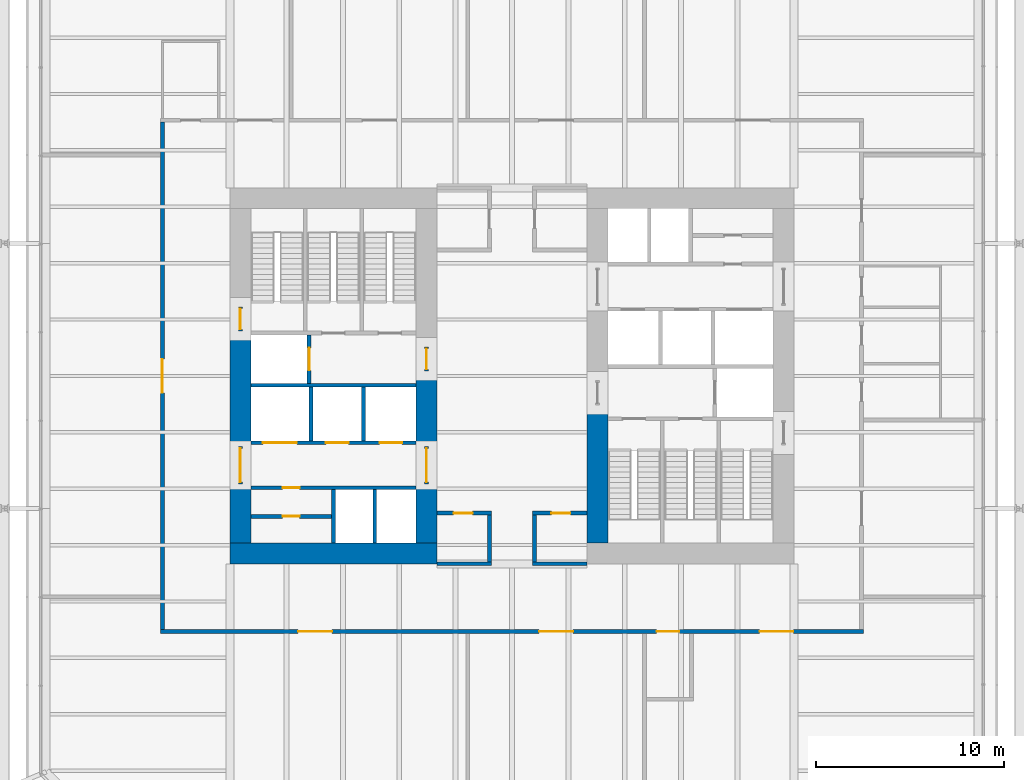
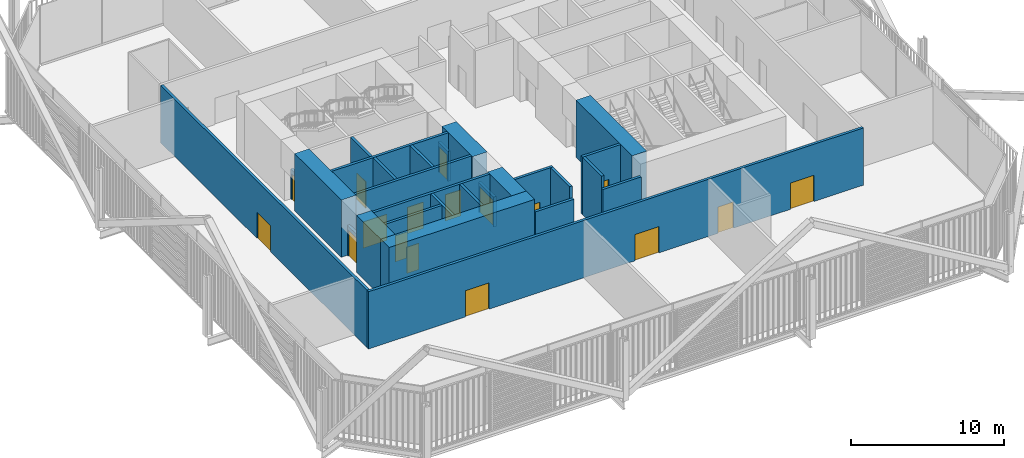
# One storey, part 18 of 22: 27 walls, 17 doors, 17 openings.
"""IFC4 building model written with IfcOpenShell, lengths in metres."""

from ifc_helpers import new_model, si_unit, direction, frame, frame_2d, origin, place, context, subcontext, project, spatial, rectangle, extrude, material, layer, layer_set, type_object, element, fill, save


model = new_model("IFC4")

# Units and contexts
model_context = context("Model", 3, precision=1e-05, world=origin(), true_north=direction((0.0, 1.0)))
body_context = subcontext(model_context, "Body", "Model", "MODEL_VIEW")
ifc_project = project(units=[si_unit("LENGTHUNIT", "METRE"), si_unit("AREAUNIT", "SQUARE_METRE"), si_unit("VOLUMEUNIT", "CUBIC_METRE"), si_unit("PLANEANGLEUNIT", "RADIAN"), si_unit("MASSUNIT", "GRAM", prefix="KILO")], contexts=[model_context])

# Site, building, storey
site_placement = place(None, origin())
site = spatial("IfcSite", under=ifc_project, at=site_placement, CompositionType="ELEMENT")
building_placement = place(site_placement, origin())
building = spatial("IfcBuilding", under=site, at=building_placement, Name="Millrace Tower", CompositionType="ELEMENT")
storey_placement = place(building_placement, frame((0.0, 0.0, 35.300048828125)))
storey = spatial("IfcBuildingStorey", under=building, at=storey_placement, Name="L08", CompositionType="ELEMENT", Elevation=35.300048828125)

# Walls
ifc_material_1 = material(Name="Concrete C80", Category="concrete")
ifc_layer_1 = layer(ifc_material_1, 1.10009765625)
ifc_layer_set_1 = layer_set([ifc_layer_1], Name="Concrete C80")
wall_type_1 = type_object("IfcWallType", Name="Core wall 1100 Concrete C80", PredefinedType="SHEAR", material=ifc_layer_set_1)
wall_1_placement = place(storey_placement, frame((-15.0, -9.449951171875, 0.0), z_axis=(0.0, 0.0, 1.0), x_axis=(1.0, 0.0, 0.0)))
element("IfcWall", 1, at=wall_1_placement, inside=storey, type_object=wall_type_1, Name="Core wall W L08", PredefinedType="SHEAR", context=body_context, shape_type="SweptSolid", body=[
    extrude(rectangle(XDim=11.0, YDim=1.10009765625, at=frame_2d((5.5, 0.0))), origin(), (0.0, 0.0, 1.0), 4.574951171875),
])
wall_2_placement = place(storey_placement, frame((-14.449951171875, -8.89990234375, 0.0), z_axis=(0.0, 0.0, 1.0), x_axis=(0.0, 1.0, 0.0)))
element("IfcWall", 2, at=wall_2_placement, inside=storey, type_object=wall_type_1, Name="Core wall W L08", PredefinedType="SHEAR", context=body_context, shape_type="SweptSolid", body=[
    extrude(rectangle(XDim=3.14990234375, YDim=1.10009765625, at=frame_2d((1.574951171875, 0.0))), origin(), (0.0, 0.0, 1.0), 4.574951171875),
])
wall_3_placement = place(storey_placement, frame((-14.449951171875, -3.75, 0.0), z_axis=(0.0, 0.0, 1.0), x_axis=(0.0, 1.0, 0.0)))
element("IfcWall", 3, at=wall_3_placement, inside=storey, type_object=wall_type_1, Name="Core wall W L08", PredefinedType="SHEAR", context=body_context, shape_type="SweptSolid", body=[
    extrude(rectangle(XDim=6.1298828125, YDim=1.10009765625, at=frame_2d((3.06494140625, 0.0))), origin(), (0.0, 0.0, 1.0), 4.574951171875),
])
wall_4_placement = place(storey_placement, frame((-4.550048828125, -8.89990234375, 0.0), z_axis=(0.0, 0.0, 1.0), x_axis=(0.0, 1.0, 0.0)))
element("IfcWall", 4, at=wall_4_placement, inside=storey, type_object=wall_type_1, Name="Core wall W L08", PredefinedType="SHEAR", context=body_context, shape_type="SweptSolid", body=[
    extrude(rectangle(XDim=3.14990234375, YDim=1.10009765625, at=frame_2d((1.574951171875, 0.0))), origin(), (0.0, 0.0, 1.0), 4.574951171875),
])
wall_5_placement = place(storey_placement, frame((-4.550048828125, -3.75, 0.0), z_axis=(0.0, 0.0, 1.0), x_axis=(0.0, 1.0, 0.0)))
element("IfcWall", 5, at=wall_5_placement, inside=storey, type_object=wall_type_1, Name="Core wall W L08", PredefinedType="SHEAR", context=body_context, shape_type="SweptSolid", body=[
    extrude(rectangle(XDim=4.0, YDim=1.10009765625, at=frame_2d((2.0, 0.0))), origin(), (0.0, 0.0, 1.0), 4.574951171875),
])
wall_6_placement = place(storey_placement, frame((4.550048828125, -1.550048828125, 0.0), z_axis=(0.0, 0.0, 1.0), x_axis=(0.0, -1.0, 0.0)))
element("IfcWall", 6, at=wall_6_placement, inside=storey, type_object=wall_type_1, Name="Core wall E L08", PredefinedType="SHEAR", context=body_context, shape_type="SweptSolid", body=[
    extrude(rectangle(XDim=7.349853515625, YDim=1.10009765625, at=frame_2d((3.6748046875, 0.0))), origin(), (0.0, 0.0, 1.0), 4.574951171875),
])

# Wall, openings, doors
ifc_material_2 = material(Name="Masonry partition, fire-rated", Category="masonry")
ifc_layer_2 = layer(ifc_material_2, 0.199951171875)
ifc_layer_set_2 = layer_set([ifc_layer_2], Name="Masonry partition, fire-rated")
wall_type_2 = type_object("IfcWallType", Name="Corridor wall 200", PredefinedType="PARTITIONING", material=ifc_layer_set_2)
wall_7_placement = place(storey_placement, frame((-18.699951171875, -13.60009765625, 0.0), z_axis=(0.0, 0.0, 1.0), x_axis=(1.0, 0.0, 0.0)))
wall_7 = element("IfcWall", 7, at=wall_7_placement, inside=storey, type_object=wall_type_2, Name="Corridor wall L08", PredefinedType="PARTITIONING", context=body_context, shape_type="SweptSolid", body=[
    extrude(rectangle(XDim=37.39990234375, YDim=0.199951171875, at=frame_2d((18.699951171875, 0.0))), origin(), (0.0, 0.0, 1.0), 4.574951171875),
])
opening_1_placement = place(wall_7_placement, frame((7.324951171875, 0.0, 0.0)))
opening_1 = element("IfcOpeningElement", 8, at=opening_1_placement, cuts=wall_7, Name="Opening 08-P005", PredefinedType="OPENING", context=body_context, shape_type="SweptSolid", body=[
    extrude(rectangle(XDim=1.800048828125, YDim=2.10009765625, at=frame_2d((0.89990234375, 1.050048828125))), frame((0.0, 0.10986328125, 0.0), z_axis=(0.0, -1.0, 0.0), x_axis=(1.0, 0.0, 0.0)), (0.0, 0.0, 1.0), 0.219970703125),
])
opening_2_placement = place(wall_7_placement, frame((20.14990234375, 0.0, 0.0)))
opening_2 = element("IfcOpeningElement", 9, at=opening_2_placement, cuts=wall_7, Name="Opening 08-P006", PredefinedType="OPENING", context=body_context, shape_type="SweptSolid", body=[
    extrude(rectangle(XDim=1.800048828125, YDim=2.10009765625, at=frame_2d((0.89990234375, 1.050048828125))), frame((0.0, 0.10986328125, 0.0), z_axis=(0.0, -1.0, 0.0), x_axis=(1.0, 0.0, 0.0)), (0.0, 0.0, 1.0), 0.219970703125),
])
opening_3_placement = place(wall_7_placement, frame((31.875, 0.0, 0.0)))
opening_3 = element("IfcOpeningElement", 10, at=opening_3_placement, cuts=wall_7, Name="Opening 08-P007", PredefinedType="OPENING", context=body_context, shape_type="SweptSolid", body=[
    extrude(rectangle(XDim=1.800048828125, YDim=2.10009765625, at=frame_2d((0.89990234375, 1.050048828125))), frame((0.0, 0.10986328125, 0.0), z_axis=(0.0, -1.0, 0.0), x_axis=(1.0, 0.0, 0.0)), (0.0, 0.0, 1.0), 0.219970703125),
])
opening_4_placement = place(wall_7_placement, frame((26.39990234375, 0.0, 0.0)))
opening_4 = element("IfcOpeningElement", 11, at=opening_4_placement, cuts=wall_7, Name="Opening 08-P008", PredefinedType="OPENING", context=body_context, shape_type="SweptSolid", body=[
    extrude(rectangle(XDim=1.199951171875, YDim=2.10009765625, at=frame_2d((0.60009765625, 1.050048828125))), frame((0.0, 0.10986328125, 0.0), z_axis=(0.0, -1.0, 0.0), x_axis=(1.0, 0.0, 0.0)), (0.0, 0.0, 1.0), 0.219970703125),
])
ifc_material_3 = material(Name="Steel door set, fire-rated", Category="steel")
door_type_1 = type_object("IfcDoorType", Name="Corridor door 1200 x 2100", OperationType="SINGLE_SWING_LEFT", PredefinedType="DOOR", material=ifc_material_3)
door_1_placement = place(opening_4_placement, frame((1.199951171875, 0.0, 0.0), z_axis=(0.0, 0.0, 1.0), x_axis=(-1.0, 0.0, 0.0)))
door_1 = element("IfcDoor", 12, at=door_1_placement, inside=storey, type_object=door_type_1, Name="Door 08-P008", OperationType="SINGLE_SWING_LEFT", OverallHeight=2.10009765625, OverallWidth=1.199951171875, PredefinedType="DOOR", context=body_context, shape_type="SweptSolid", body=[
    extrude(rectangle(XDim=1.199951171875, YDim=2.10009765625, at=frame_2d((0.60009765625, 1.050048828125))), frame((0.0, 0.02490234375, 0.0), z_axis=(0.0, -1.0, 0.0), x_axis=(1.0, 0.0, 0.0)), (0.0, 0.0, 1.0), 0.050048828125),
])
fill(opening_4, door_1)
ifc_material_4 = material(Name="Steel door set, fire-rated", Category="steel")
door_type_2 = type_object("IfcDoorType", Name="Data hall door 1800 x 2100", OperationType="DOUBLE_DOOR_SINGLE_SWING", PredefinedType="DOOR", material=ifc_material_4)
door_2_placement = place(opening_1_placement, frame((1.800048828125, 0.0, 0.0), z_axis=(0.0, 0.0, 1.0), x_axis=(-1.0, 0.0, 0.0)))
door_2 = element("IfcDoor", 13, at=door_2_placement, inside=storey, type_object=door_type_2, Name="Door 08-P005", OperationType="DOUBLE_DOOR_SINGLE_SWING", OverallHeight=2.10009765625, OverallWidth=1.800048828125, PredefinedType="DOOR", context=body_context, shape_type="SweptSolid", body=[
    extrude(rectangle(XDim=1.800048828125, YDim=2.10009765625, at=frame_2d((0.89990234375, 1.050048828125))), frame((0.0, 0.02490234375, 0.0), z_axis=(0.0, -1.0, 0.0), x_axis=(1.0, 0.0, 0.0)), (0.0, 0.0, 1.0), 0.050048828125),
])
fill(opening_1, door_2)
door_3_placement = place(opening_2_placement, frame((1.800048828125, 0.0, 0.0), z_axis=(0.0, 0.0, 1.0), x_axis=(-1.0, 0.0, 0.0)))
door_3 = element("IfcDoor", 14, at=door_3_placement, inside=storey, type_object=door_type_2, Name="Door 08-P006", OperationType="DOUBLE_DOOR_SINGLE_SWING", OverallHeight=2.10009765625, OverallWidth=1.800048828125, PredefinedType="DOOR", context=body_context, shape_type="SweptSolid", body=[
    extrude(rectangle(XDim=1.800048828125, YDim=2.10009765625, at=frame_2d((0.89990234375, 1.050048828125))), frame((0.0, 0.02490234375, 0.0), z_axis=(0.0, -1.0, 0.0), x_axis=(1.0, 0.0, 0.0)), (0.0, 0.0, 1.0), 0.050048828125),
])
fill(opening_2, door_3)
door_4_placement = place(opening_3_placement, frame((1.800048828125, 0.0, 0.0), z_axis=(0.0, 0.0, 1.0), x_axis=(-1.0, 0.0, 0.0)))
door_4 = element("IfcDoor", 15, at=door_4_placement, inside=storey, type_object=door_type_2, Name="Door 08-P007", OperationType="DOUBLE_DOOR_SINGLE_SWING", OverallHeight=2.10009765625, OverallWidth=1.800048828125, PredefinedType="DOOR", context=body_context, shape_type="SweptSolid", body=[
    extrude(rectangle(XDim=1.800048828125, YDim=2.10009765625, at=frame_2d((0.89990234375, 1.050048828125))), frame((0.0, 0.02490234375, 0.0), z_axis=(0.0, -1.0, 0.0), x_axis=(1.0, 0.0, 0.0)), (0.0, 0.0, 1.0), 0.050048828125),
])
fill(opening_3, door_4)

# Walls
for number, where, z_axis, x_axis, name in (
    (16, (-4.0, -10.0, 0.0), (0.0, 0.0, 1.0), (1.0, 0.0, 0.0), "Corridor wall L08"),
    (17, (1.10009765625, -10.0, 0.0), (0.0, 0.0, 1.0), (1.0, 0.0, 0.0), "Corridor wall L08"),
):
    element("IfcWall", number, at=place(storey_placement, frame(where, z_axis=z_axis, x_axis=x_axis)), inside=storey, type_object=wall_type_2, Name=name, PredefinedType="PARTITIONING", context=body_context, shape_type="SweptSolid", body=[
        extrude(rectangle(XDim=2.89990234375, YDim=0.199951171875, at=frame_2d((1.449951171875, 0.0))), origin(), (0.0, 0.0, 1.0), 3.62744140625),
    ])

# Wall, opening, door
wall_8_placement = place(storey_placement, frame((-4.0, -7.300048828125, 0.0), z_axis=(0.0, 0.0, 1.0), x_axis=(1.0, 0.0, 0.0)))
wall_8 = element("IfcWall", 18, at=wall_8_placement, inside=storey, type_object=wall_type_2, Name="Corridor wall L08", PredefinedType="PARTITIONING", context=body_context, shape_type="SweptSolid", body=[
    extrude(rectangle(XDim=2.89990234375, YDim=0.199951171875, at=frame_2d((1.449951171875, 0.0))), origin(), (0.0, 0.0, 1.0), 4.574951171875),
])
opening_5_placement = place(wall_8_placement, frame((0.89990234375, 0.0, 0.0)))
opening_5 = element("IfcOpeningElement", 19, at=opening_5_placement, cuts=wall_8, Name="Opening 08-P003", PredefinedType="OPENING", context=body_context, shape_type="SweptSolid", body=[
    extrude(rectangle(XDim=1.0, YDim=2.10009765625, at=frame_2d((0.5, 1.050048828125))), frame((0.0, 0.10986328125, 0.0), z_axis=(0.0, -1.0, 0.0), x_axis=(1.0, 0.0, 0.0)), (0.0, 0.0, 1.0), 0.219970703125),
])
ifc_material_5 = material(Name="Steel door set, fire-rated", Category="steel")
door_type_3 = type_object("IfcDoorType", Name="Corridor door 1000 x 2100", OperationType="SINGLE_SWING_LEFT", PredefinedType="DOOR", material=ifc_material_5)
door_5_placement = place(opening_5_placement, frame((1.0, 0.0, 0.0), z_axis=(0.0, 0.0, 1.0), x_axis=(-1.0, 0.0, 0.0)))
door_5 = element("IfcDoor", 20, at=door_5_placement, inside=storey, type_object=door_type_3, Name="Door 08-P003", OperationType="SINGLE_SWING_RIGHT", OverallHeight=2.10009765625, OverallWidth=1.0, PredefinedType="DOOR", context=body_context, shape_type="SweptSolid", body=[
    extrude(rectangle(XDim=1.0, YDim=2.10009765625, at=frame_2d((0.5, 1.050048828125))), frame((0.0, 0.02490234375, 0.0), z_axis=(0.0, -1.0, 0.0), x_axis=(1.0, 0.0, 0.0)), (0.0, 0.0, 1.0), 0.050048828125),
])
fill(opening_5, door_5)

wall_9_placement = place(storey_placement, frame((1.10009765625, -7.300048828125, 0.0), z_axis=(0.0, 0.0, 1.0), x_axis=(1.0, 0.0, 0.0)))
wall_9 = element("IfcWall", 21, at=wall_9_placement, inside=storey, type_object=wall_type_2, Name="Corridor wall L08", PredefinedType="PARTITIONING", context=body_context, shape_type="SweptSolid", body=[
    extrude(rectangle(XDim=2.89990234375, YDim=0.199951171875, at=frame_2d((1.449951171875, 0.0))), origin(), (0.0, 0.0, 1.0), 4.574951171875),
])
opening_6_placement = place(wall_9_placement, frame((1.0, 0.0, 0.0)))
opening_6 = element("IfcOpeningElement", 22, at=opening_6_placement, cuts=wall_9, Name="Opening 08-P004", PredefinedType="OPENING", context=body_context, shape_type="SweptSolid", body=[
    extrude(rectangle(XDim=1.0, YDim=2.10009765625, at=frame_2d((0.5, 1.050048828125))), frame((0.0, 0.10986328125, 0.0), z_axis=(0.0, -1.0, 0.0), x_axis=(1.0, 0.0, 0.0)), (0.0, 0.0, 1.0), 0.219970703125),
])
door_6_placement = place(opening_6_placement, frame((1.0, 0.0, 0.0), z_axis=(0.0, 0.0, 1.0), x_axis=(-1.0, 0.0, 0.0)))
door_6 = element("IfcDoor", 23, at=door_6_placement, inside=storey, type_object=door_type_3, Name="Door 08-P004", OperationType="SINGLE_SWING_RIGHT", OverallHeight=2.10009765625, OverallWidth=1.0, PredefinedType="DOOR", context=body_context, shape_type="SweptSolid", body=[
    extrude(rectangle(XDim=1.0, YDim=2.10009765625, at=frame_2d((0.5, 1.050048828125))), frame((0.0, 0.02490234375, 0.0), z_axis=(0.0, -1.0, 0.0), x_axis=(1.0, 0.0, 0.0)), (0.0, 0.0, 1.0), 0.050048828125),
])
fill(opening_6, door_6)

# Walls
for number, where, z_axis, x_axis, name in (
    (24, (1.199951171875, -9.89990234375, 0.0), (0.0, 0.0, 1.0), (0.0, 1.0, 0.0), "Corridor wall L08"),
    (25, (-1.199951171875, -9.89990234375, 0.0), (0.0, 0.0, 1.0), (0.0, 1.0, 0.0), "Corridor wall L08"),
):
    element("IfcWall", number, at=place(storey_placement, frame(where, z_axis=z_axis, x_axis=x_axis)), inside=storey, type_object=wall_type_2, Name=name, PredefinedType="PARTITIONING", context=body_context, shape_type="SweptSolid", body=[
        extrude(rectangle(XDim=2.5, YDim=0.199951171875, at=frame_2d((1.25, 0.0))), origin(), (0.0, 0.0, 1.0), 4.574951171875),
    ])

# Wall, opening, door
wall_10_placement = place(storey_placement, frame((-18.60009765625, -13.5, 0.0), z_axis=(0.0, 0.0, 1.0), x_axis=(0.0, 1.0, 0.0)))
wall_10 = element("IfcWall", 26, at=wall_10_placement, inside=storey, type_object=wall_type_2, Name="Corridor wall L08", PredefinedType="PARTITIONING", context=body_context, shape_type="SweptSolid", body=[
    extrude(rectangle(XDim=27.0, YDim=0.199951171875, at=frame_2d((13.5, 0.0))), origin(), (0.0, 0.0, 1.0), 4.574951171875),
])
opening_7_placement = place(wall_10_placement, frame((12.60009765625, 0.0, 0.0)))
opening_7 = element("IfcOpeningElement", 27, at=opening_7_placement, cuts=wall_10, Name="Opening 08-P016", PredefinedType="OPENING", context=body_context, shape_type="SweptSolid", body=[
    extrude(rectangle(XDim=1.800048828125, YDim=2.10009765625, at=frame_2d((0.89990234375, 1.050048828125))), frame((0.0, 0.10986328125, 0.0), z_axis=(0.0, -1.0, 0.0), x_axis=(1.0, 0.0, 0.0)), (0.0, 0.0, 1.0), 0.219970703125),
])
door_7_placement = place(opening_7_placement, origin())
door_7 = element("IfcDoor", 28, at=door_7_placement, inside=storey, type_object=door_type_2, Name="Door 08-P016", OperationType="DOUBLE_DOOR_SINGLE_SWING", OverallHeight=2.10009765625, OverallWidth=1.800048828125, PredefinedType="DOOR", context=body_context, shape_type="SweptSolid", body=[
    extrude(rectangle(XDim=1.800048828125, YDim=2.10009765625, at=frame_2d((0.89990234375, 1.050048828125))), frame((0.0, 0.02490234375, 0.0), z_axis=(0.0, -1.0, 0.0), x_axis=(1.0, 0.0, 0.0)), (0.0, 0.0, 1.0), 0.050048828125),
])
fill(opening_7, door_7)

ifc_material_6 = material(Name="Masonry partition, fire-rated", Category="masonry")
ifc_layer_3 = layer(ifc_material_6, 0.199951171875)
ifc_layer_set_3 = layer_set([ifc_layer_3], Name="Masonry partition, fire-rated")
wall_type_3 = type_object("IfcWallType", Name="Lift shaft wall 200", PredefinedType="PARTITIONING", material=ifc_layer_set_3)
wall_11_placement = place(storey_placement, frame((-13.89990234375, -5.949951171875, 0.0), z_axis=(0.0, 0.0, 1.0), x_axis=(1.0, 0.0, 0.0)))
wall_11 = element("IfcWall", 29, at=wall_11_placement, inside=storey, type_object=wall_type_3, Name="Lift shaft wall W L08", PredefinedType="PARTITIONING", context=body_context, shape_type="SweptSolid", body=[
    extrude(rectangle(XDim=8.7998046875, YDim=0.199951171875, at=frame_2d((4.39990234375, 0.0))), origin(), (0.0, 0.0, 1.0), 4.574951171875),
])
opening_8_placement = place(wall_11_placement, frame((1.699951171875, 0.0, 0.0)))
opening_8 = element("IfcOpeningElement", 30, at=opening_8_placement, cuts=wall_11, Name="Opening 08-C005", PredefinedType="OPENING", context=body_context, shape_type="SweptSolid", body=[
    extrude(rectangle(XDim=0.89990234375, YDim=2.10009765625, at=frame_2d((0.449951171875, 1.050048828125))), frame((0.0, 0.10986328125, 0.0), z_axis=(0.0, -1.0, 0.0), x_axis=(1.0, 0.0, 0.0)), (0.0, 0.0, 1.0), 0.219970703125),
])
ifc_material_7 = material(Name="Steel door, fire-rated", Category="steel")
door_type_4 = type_object("IfcDoorType", Name="Service room door 900 x 2100", OperationType="SINGLE_SWING_LEFT", PredefinedType="DOOR", material=ifc_material_7)
door_8_placement = place(opening_8_placement, origin())
door_8 = element("IfcDoor", 31, at=door_8_placement, inside=storey, type_object=door_type_4, Name="Service room door 08-C005", OperationType="SINGLE_SWING_LEFT", OverallHeight=2.10009765625, OverallWidth=0.89990234375, PredefinedType="DOOR", context=body_context, shape_type="SweptSolid", body=[
    extrude(rectangle(XDim=0.89990234375, YDim=2.10009765625, at=frame_2d((0.449951171875, 1.050048828125))), frame((0.0, 0.02490234375, 0.0), z_axis=(0.0, -1.0, 0.0), x_axis=(1.0, 0.0, 0.0)), (0.0, 0.0, 1.0), 0.050048828125),
])
fill(opening_8, door_8)

# Wall, openings, doors
wall_12_placement = place(storey_placement, frame((-13.89990234375, -3.550048828125, 0.0), z_axis=(0.0, 0.0, 1.0), x_axis=(1.0, 0.0, 0.0)))
wall_12 = element("IfcWall", 32, at=wall_12_placement, inside=storey, type_object=wall_type_3, Name="Lift shaft wall W L08", PredefinedType="PARTITIONING", context=body_context, shape_type="SweptSolid", body=[
    extrude(rectangle(XDim=8.7998046875, YDim=0.199951171875, at=frame_2d((4.39990234375, 0.0))), origin(), (0.0, 0.0, 1.0), 4.574951171875),
])
opening_9_placement = place(wall_12_placement, frame((0.64990234375, 0.0, 0.0)))
opening_9 = element("IfcOpeningElement", 33, at=opening_9_placement, cuts=wall_12, Name="Opening 08-LD05", PredefinedType="OPENING", context=body_context, shape_type="SweptSolid", body=[
    extrude(rectangle(XDim=1.800048828125, YDim=2.10009765625, at=frame_2d((0.89990234375, 1.050048828125))), frame((0.0, 0.10986328125, 0.0), z_axis=(0.0, -1.0, 0.0), x_axis=(1.0, 0.0, 0.0)), (0.0, 0.0, 1.0), 0.219970703125),
])
opening_10_placement = place(wall_12_placement, frame((4.0, 0.0, 0.0)))
opening_10 = element("IfcOpeningElement", 34, at=opening_10_placement, cuts=wall_12, Name="Opening 08-LD06", PredefinedType="OPENING", context=body_context, shape_type="SweptSolid", body=[
    extrude(rectangle(XDim=1.199951171875, YDim=2.10009765625, at=frame_2d((0.60009765625, 1.050048828125))), frame((0.0, 0.10986328125, 0.0), z_axis=(0.0, -1.0, 0.0), x_axis=(1.0, 0.0, 0.0)), (0.0, 0.0, 1.0), 0.219970703125),
])
opening_11_placement = place(wall_12_placement, frame((6.85009765625, 0.0, 0.0)))
opening_11 = element("IfcOpeningElement", 35, at=opening_11_placement, cuts=wall_12, Name="Opening 08-LD07", PredefinedType="OPENING", context=body_context, shape_type="SweptSolid", body=[
    extrude(rectangle(XDim=1.199951171875, YDim=2.10009765625, at=frame_2d((0.60009765625, 1.050048828125))), frame((0.0, 0.10986328125, 0.0), z_axis=(0.0, -1.0, 0.0), x_axis=(1.0, 0.0, 0.0)), (0.0, 0.0, 1.0), 0.219970703125),
])
ifc_material_8 = material(Name="Stainless steel, fire-rated", Category="steel")
door_type_5 = type_object("IfcDoorType", Name="Lift landing door 1200 x 2100", OperationType="DOUBLE_DOOR_SLIDING", PredefinedType="DOOR", material=ifc_material_8)
door_9_placement = place(opening_10_placement, origin())
door_9 = element("IfcDoor", 36, at=door_9_placement, inside=storey, type_object=door_type_5, Name="Lift landing door LF6 L08", OperationType="DOUBLE_DOOR_SLIDING", OverallHeight=2.10009765625, OverallWidth=1.199951171875, PredefinedType="DOOR", context=body_context, shape_type="SweptSolid", body=[
    extrude(rectangle(XDim=1.199951171875, YDim=2.10009765625, at=frame_2d((0.60009765625, 1.050048828125))), frame((0.0, 0.02490234375, 0.0), z_axis=(0.0, -1.0, 0.0), x_axis=(1.0, 0.0, 0.0)), (0.0, 0.0, 1.0), 0.050048828125),
])
fill(opening_10, door_9)
door_10_placement = place(opening_11_placement, origin())
door_10 = element("IfcDoor", 37, at=door_10_placement, inside=storey, type_object=door_type_5, Name="Lift landing door LF7 L08", OperationType="DOUBLE_DOOR_SLIDING", OverallHeight=2.10009765625, OverallWidth=1.199951171875, PredefinedType="DOOR", context=body_context, shape_type="SweptSolid", body=[
    extrude(rectangle(XDim=1.199951171875, YDim=2.10009765625, at=frame_2d((0.60009765625, 1.050048828125))), frame((0.0, 0.02490234375, 0.0), z_axis=(0.0, -1.0, 0.0), x_axis=(1.0, 0.0, 0.0)), (0.0, 0.0, 1.0), 0.050048828125),
])
fill(opening_11, door_10)
ifc_material_9 = material(Name="Stainless steel, fire-rated", Category="steel")
door_type_6 = type_object("IfcDoorType", Name="Lift landing door 1800 x 2100", OperationType="DOUBLE_DOOR_SLIDING", PredefinedType="DOOR", material=ifc_material_9)
door_11_placement = place(opening_9_placement, origin())
door_11 = element("IfcDoor", 38, at=door_11_placement, inside=storey, type_object=door_type_6, Name="Lift landing door LF5 L08", OperationType="DOUBLE_DOOR_SLIDING", OverallHeight=2.10009765625, OverallWidth=1.800048828125, PredefinedType="DOOR", context=body_context, shape_type="SweptSolid", body=[
    extrude(rectangle(XDim=1.800048828125, YDim=2.10009765625, at=frame_2d((0.89990234375, 1.050048828125))), frame((0.0, 0.02490234375, 0.0), z_axis=(0.0, -1.0, 0.0), x_axis=(1.0, 0.0, 0.0)), (0.0, 0.0, 1.0), 0.050048828125),
])
fill(opening_9, door_11)

# Wall
wall_13_placement = place(storey_placement, frame((-13.89990234375, -0.5, 0.0), z_axis=(0.0, 0.0, 1.0), x_axis=(1.0, 0.0, 0.0)))
element("IfcWall", 39, at=wall_13_placement, inside=storey, type_object=wall_type_3, Name="Lift shaft wall W L08", PredefinedType="PARTITIONING", context=body_context, shape_type="SweptSolid", body=[
    extrude(rectangle(XDim=8.7998046875, YDim=0.199951171875, at=frame_2d((4.39990234375, 0.0))), origin(), (0.0, 0.0, 1.0), 4.574951171875),
])

# Wall, opening, door
wall_14_placement = place(storey_placement, frame((-10.800048828125, -0.39990234375, 0.0), z_axis=(0.0, 0.0, 1.0), x_axis=(0.0, 1.0, 0.0)))
wall_14 = element("IfcWall", 40, at=wall_14_placement, inside=storey, type_object=wall_type_3, Name="Lift shaft wall W L08", PredefinedType="PARTITIONING", context=body_context, shape_type="SweptSolid", body=[
    extrude(rectangle(XDim=2.579833984375, YDim=0.199951171875, at=frame_2d((1.2900390625, 0.0))), origin(), (0.0, 0.0, 1.0), 4.574951171875),
])
opening_12_placement = place(wall_14_placement, frame((0.68994140625, 0.0, 0.0)))
opening_12 = element("IfcOpeningElement", 41, at=opening_12_placement, cuts=wall_14, Name="Opening 08-LD08", PredefinedType="OPENING", context=body_context, shape_type="SweptSolid", body=[
    extrude(rectangle(XDim=1.199951171875, YDim=2.10009765625, at=frame_2d((0.60009765625, 1.050048828125))), frame((0.0, 0.10986328125, 0.0), z_axis=(0.0, -1.0, 0.0), x_axis=(1.0, 0.0, 0.0)), (0.0, 0.0, 1.0), 0.219970703125),
])
door_12_placement = place(opening_12_placement, origin())
door_12 = element("IfcDoor", 42, at=door_12_placement, inside=storey, type_object=door_type_5, Name="Lift landing door LF8 L08", OperationType="DOUBLE_DOOR_SLIDING", OverallHeight=2.10009765625, OverallWidth=1.199951171875, PredefinedType="DOOR", context=body_context, shape_type="SweptSolid", body=[
    extrude(rectangle(XDim=1.199951171875, YDim=2.10009765625, at=frame_2d((0.60009765625, 1.050048828125))), frame((0.0, 0.02490234375, 0.0), z_axis=(0.0, -1.0, 0.0), x_axis=(1.0, 0.0, 0.0)), (0.0, 0.0, 1.0), 0.050048828125),
])
fill(opening_12, door_12)

# Walls
for number, where, z_axis, x_axis, name in (
    (43, (-9.5, -8.89990234375, 0.0), (0.0, 0.0, 1.0), (0.0, 1.0, 0.0), "Lift shaft wall W L08"),
    (44, (-7.300048828125, -8.89990234375, 0.0), (0.0, 0.0, 1.0), (0.0, 1.0, 0.0), "Lift shaft wall W L08"),
    (45, (-10.699951171875, -3.449951171875, 0.0), (0.0, 0.0, 1.0), (0.0, 1.0, 0.0), "Lift shaft wall W L08"),
    (46, (-7.89990234375, -3.449951171875, 0.0), (0.0, 0.0, 1.0), (0.0, 1.0, 0.0), "Lift shaft wall W L08"),
):
    element("IfcWall", number, at=place(storey_placement, frame(where, z_axis=z_axis, x_axis=x_axis)), inside=storey, type_object=wall_type_3, Name=name, PredefinedType="PARTITIONING", context=body_context, shape_type="SweptSolid", body=[
        extrude(rectangle(XDim=2.849853515625, YDim=0.199951171875, at=frame_2d((1.4248046875, 0.0))), origin(), (0.0, 0.0, 1.0), 4.574951171875),
    ])

# Wall, opening, door
ifc_material_10 = material(Name="Masonry partition, fire-rated", Category="masonry")
ifc_layer_4 = layer(ifc_material_10, 0.199951171875)
ifc_layer_set_4 = layer_set([ifc_layer_4], Name="Masonry partition, fire-rated")
wall_type_4 = type_object("IfcWallType", Name="Lobby wall 200", PredefinedType="PARTITIONING", material=ifc_layer_set_4)
wall_15_placement = place(storey_placement, frame((-14.449951171875, -5.75, 0.0), z_axis=(0.0, 0.0, 1.0), x_axis=(0.0, 1.0, 0.0)))
wall_15 = element("IfcWall", 47, at=wall_15_placement, inside=storey, type_object=wall_type_4, Name="Lobby wall W L08", PredefinedType="PARTITIONING", context=body_context, shape_type="SweptSolid", body=[
    extrude(rectangle(XDim=2.0, YDim=0.199951171875, at=frame_2d((1.0, 0.0))), origin(), (0.0, 0.0, 1.0), 2.39990234375),
])
opening_13_placement = place(wall_15_placement, frame((0.10009765625, 0.0, 0.0)))
opening_13 = element("IfcOpeningElement", 48, at=opening_13_placement, cuts=wall_15, Name="Opening 08-C001", PredefinedType="OPENING", context=body_context, shape_type="SweptSolid", body=[
    extrude(rectangle(XDim=1.800048828125, YDim=2.10009765625, at=frame_2d((0.89990234375, 1.050048828125))), frame((0.0, 0.10986328125, 0.0), z_axis=(0.0, -1.0, 0.0), x_axis=(1.0, 0.0, 0.0)), (0.0, 0.0, 1.0), 0.219970703125),
])
ifc_material_11 = material(Name="Steel door, fire-rated", Category="steel")
door_type_7 = type_object("IfcDoorType", Name="Lobby door 1800 x 2100", OperationType="DOUBLE_DOOR_SINGLE_SWING", PredefinedType="DOOR", material=ifc_material_11)
door_13_placement = place(opening_13_placement, origin())
door_13 = element("IfcDoor", 49, at=door_13_placement, inside=storey, type_object=door_type_7, Name="Lobby door 08-C001", OperationType="DOUBLE_DOOR_SINGLE_SWING", OverallHeight=2.10009765625, OverallWidth=1.800048828125, PredefinedType="DOOR", context=body_context, shape_type="SweptSolid", body=[
    extrude(rectangle(XDim=1.800048828125, YDim=2.10009765625, at=frame_2d((0.89990234375, 1.050048828125))), frame((0.0, 0.02490234375, 0.0), z_axis=(0.0, -1.0, 0.0), x_axis=(1.0, 0.0, 0.0)), (0.0, 0.0, 1.0), 0.050048828125),
])
fill(opening_13, door_13)

wall_16_placement = place(storey_placement, frame((-4.550048828125, -5.75, 0.0), z_axis=(0.0, 0.0, 1.0), x_axis=(0.0, 1.0, 0.0)))
wall_16 = element("IfcWall", 50, at=wall_16_placement, inside=storey, type_object=wall_type_4, Name="Lobby wall W L08", PredefinedType="PARTITIONING", context=body_context, shape_type="SweptSolid", body=[
    extrude(rectangle(XDim=2.0, YDim=0.199951171875, at=frame_2d((1.0, 0.0))), origin(), (0.0, 0.0, 1.0), 2.39990234375),
])
opening_14_placement = place(wall_16_placement, frame((0.10009765625, 0.0, 0.0)))
opening_14 = element("IfcOpeningElement", 51, at=opening_14_placement, cuts=wall_16, Name="Opening 08-C003", PredefinedType="OPENING", context=body_context, shape_type="SweptSolid", body=[
    extrude(rectangle(XDim=1.800048828125, YDim=2.10009765625, at=frame_2d((0.89990234375, 1.050048828125))), frame((0.0, 0.10986328125, 0.0), z_axis=(0.0, -1.0, 0.0), x_axis=(1.0, 0.0, 0.0)), (0.0, 0.0, 1.0), 0.219970703125),
])
door_14_placement = place(opening_14_placement, origin())
door_14 = element("IfcDoor", 52, at=door_14_placement, inside=storey, type_object=door_type_7, Name="Lobby door 08-C003", OperationType="DOUBLE_DOOR_SINGLE_SWING", OverallHeight=2.10009765625, OverallWidth=1.800048828125, PredefinedType="DOOR", context=body_context, shape_type="SweptSolid", body=[
    extrude(rectangle(XDim=1.800048828125, YDim=2.10009765625, at=frame_2d((0.89990234375, 1.050048828125))), frame((0.0, 0.02490234375, 0.0), z_axis=(0.0, -1.0, 0.0), x_axis=(1.0, 0.0, 0.0)), (0.0, 0.0, 1.0), 0.050048828125),
])
fill(opening_14, door_14)

wall_17_placement = place(storey_placement, frame((-4.550048828125, 0.25, 0.0), z_axis=(0.0, 0.0, 1.0), x_axis=(0.0, 1.0, 0.0)))
wall_17 = element("IfcWall", 53, at=wall_17_placement, inside=storey, type_object=wall_type_4, Name="Lobby wall W L08", PredefinedType="PARTITIONING", context=body_context, shape_type="SweptSolid", body=[
    extrude(rectangle(XDim=1.300048828125, YDim=0.199951171875, at=frame_2d((0.64990234375, 0.0))), origin(), (0.0, 0.0, 1.0), 2.39990234375),
])
opening_15_placement = place(wall_17_placement, frame((0.10009765625, 0.0, 0.0)))
opening_15 = element("IfcOpeningElement", 54, at=opening_15_placement, cuts=wall_17, Name="Opening 08-C004", PredefinedType="OPENING", context=body_context, shape_type="SweptSolid", body=[
    extrude(rectangle(XDim=1.10009765625, YDim=2.10009765625, at=frame_2d((0.550048828125, 1.050048828125))), frame((0.0, 0.10986328125, 0.0), z_axis=(0.0, -1.0, 0.0), x_axis=(1.0, 0.0, 0.0)), (0.0, 0.0, 1.0), 0.219970703125),
])
ifc_material_12 = material(Name="Steel door, fire-rated", Category="steel")
door_type_8 = type_object("IfcDoorType", Name="Lobby door 1100 x 2100", OperationType="SINGLE_SWING_LEFT", PredefinedType="DOOR", material=ifc_material_12)
door_15_placement = place(opening_15_placement, origin())
door_15 = element("IfcDoor", 55, at=door_15_placement, inside=storey, type_object=door_type_8, Name="Lobby door 08-C004", OperationType="SINGLE_SWING_RIGHT", OverallHeight=2.10009765625, OverallWidth=1.10009765625, PredefinedType="DOOR", context=body_context, shape_type="SweptSolid", body=[
    extrude(rectangle(XDim=1.10009765625, YDim=2.10009765625, at=frame_2d((0.550048828125, 1.050048828125))), frame((0.0, 0.02490234375, 0.0), z_axis=(0.0, -1.0, 0.0), x_axis=(1.0, 0.0, 0.0)), (0.0, 0.0, 1.0), 0.050048828125),
])
fill(opening_15, door_15)

ifc_material_13 = material(Name="Masonry partition, fire-rated", Category="masonry")
ifc_layer_5 = layer(ifc_material_13, 0.199951171875)
ifc_layer_set_5 = layer_set([ifc_layer_5], Name="Masonry partition, fire-rated")
wall_type_5 = type_object("IfcWallType", Name="Room partition 200", PredefinedType="PARTITIONING", material=ifc_layer_set_5)
wall_18_placement = place(storey_placement, frame((-13.89990234375, -7.47509765625, 0.0), z_axis=(0.0, 0.0, 1.0), x_axis=(1.0, 0.0, 0.0)))
wall_18 = element("IfcWall", 56, at=wall_18_placement, inside=storey, type_object=wall_type_5, Name="Room partition W L08", PredefinedType="PARTITIONING", context=body_context, shape_type="SweptSolid", body=[
    extrude(rectangle(XDim=4.2998046875, YDim=0.199951171875, at=frame_2d((2.14990234375, 0.0))), origin(), (0.0, 0.0, 1.0), 4.574951171875),
])
opening_16_placement = place(wall_18_placement, frame((1.699951171875, 0.0, 0.0)))
opening_16 = element("IfcOpeningElement", 57, at=opening_16_placement, cuts=wall_18, Name="Opening 08-C006", PredefinedType="OPENING", context=body_context, shape_type="SweptSolid", body=[
    extrude(rectangle(XDim=0.89990234375, YDim=2.10009765625, at=frame_2d((0.449951171875, 1.050048828125))), frame((0.0, 0.10986328125, 0.0), z_axis=(0.0, -1.0, 0.0), x_axis=(1.0, 0.0, 0.0)), (0.0, 0.0, 1.0), 0.219970703125),
])
door_16_placement = place(opening_16_placement, frame((0.89990234375, 0.0, 0.0), z_axis=(0.0, 0.0, 1.0), x_axis=(-1.0, 0.0, 0.0)))
door_16 = element("IfcDoor", 58, at=door_16_placement, inside=storey, type_object=door_type_4, Name="Service room door 08-C006", OperationType="SINGLE_SWING_RIGHT", OverallHeight=2.10009765625, OverallWidth=0.89990234375, PredefinedType="DOOR", context=body_context, shape_type="SweptSolid", body=[
    extrude(rectangle(XDim=0.89990234375, YDim=2.10009765625, at=frame_2d((0.449951171875, 1.050048828125))), frame((0.0, 0.02490234375, 0.0), z_axis=(0.0, -1.0, 0.0), x_axis=(1.0, 0.0, 0.0)), (0.0, 0.0, 1.0), 0.050048828125),
])
fill(opening_16, door_16)

ifc_material_14 = material(Name="Concrete C40", Category="concrete")
ifc_layer_6 = layer(ifc_material_14, 0.199951171875)
ifc_layer_set_6 = layer_set([ifc_layer_6], Name="Concrete C40")
wall_type_6 = type_object("IfcWallType", Name="Stair enclosure wall 200 Concrete C40", PredefinedType="SHEAR", material=ifc_layer_set_6)
wall_19_placement = place(storey_placement, frame((-14.449951171875, 2.3798828125, 0.0), z_axis=(0.0, 0.0, 1.0), x_axis=(0.0, 1.0, 0.0)))
wall_19 = element("IfcWall", 59, at=wall_19_placement, inside=storey, type_object=wall_type_6, Name="Stair enclosure wall W L08", PredefinedType="SHEAR", context=body_context, shape_type="SweptSolid", body=[
    extrude(rectangle(XDim=1.300048828125, YDim=0.199951171875, at=frame_2d((0.64990234375, 0.0))), origin(), (0.0, 0.0, 1.0), 2.39990234375),
])
opening_17_placement = place(wall_19_placement, frame((0.10009765625, 0.0, 0.0)))
opening_17 = element("IfcOpeningElement", 60, at=opening_17_placement, cuts=wall_19, Name="Opening 08-C002", PredefinedType="OPENING", context=body_context, shape_type="SweptSolid", body=[
    extrude(rectangle(XDim=1.10009765625, YDim=2.10009765625, at=frame_2d((0.550048828125, 1.050048828125))), frame((0.0, 0.10986328125, 0.0), z_axis=(0.0, -1.0, 0.0), x_axis=(1.0, 0.0, 0.0)), (0.0, 0.0, 1.0), 0.219970703125),
])
ifc_material_15 = material(Name="Steel door, fire-rated", Category="steel")
door_type_9 = type_object("IfcDoorType", Name="Stair door 1100 x 2100", OperationType="SINGLE_SWING_LEFT", PredefinedType="DOOR", material=ifc_material_15)
door_17_placement = place(opening_17_placement, origin())
door_17 = element("IfcDoor", 61, at=door_17_placement, inside=storey, type_object=door_type_9, Name="Stair door 08-C002", OperationType="SINGLE_SWING_RIGHT", OverallHeight=2.10009765625, OverallWidth=1.10009765625, PredefinedType="DOOR", context=body_context, shape_type="SweptSolid", body=[
    extrude(rectangle(XDim=1.10009765625, YDim=2.10009765625, at=frame_2d((0.550048828125, 1.050048828125))), frame((0.0, 0.02490234375, 0.0), z_axis=(0.0, -1.0, 0.0), x_axis=(1.0, 0.0, 0.0)), (0.0, 0.0, 1.0), 0.050048828125),
])
fill(opening_17, door_17)

save(model, "model.ifc")
